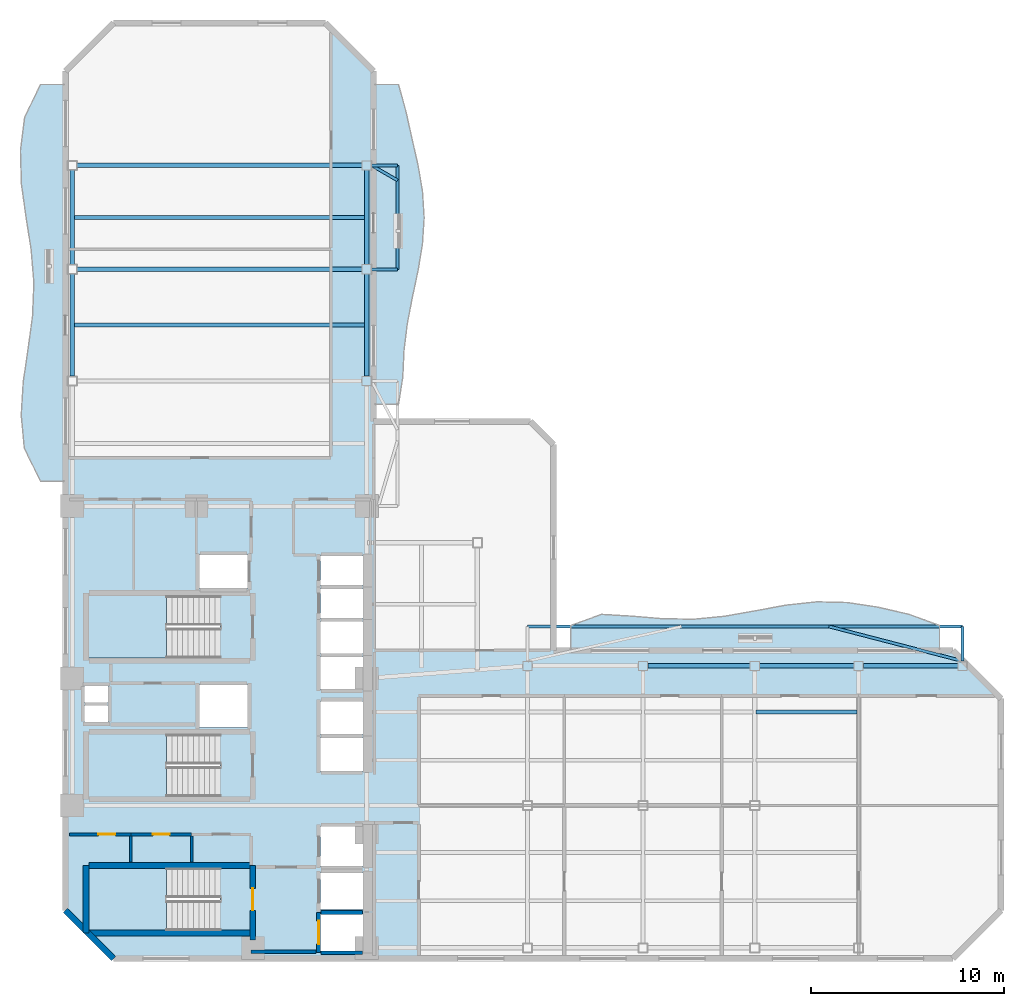
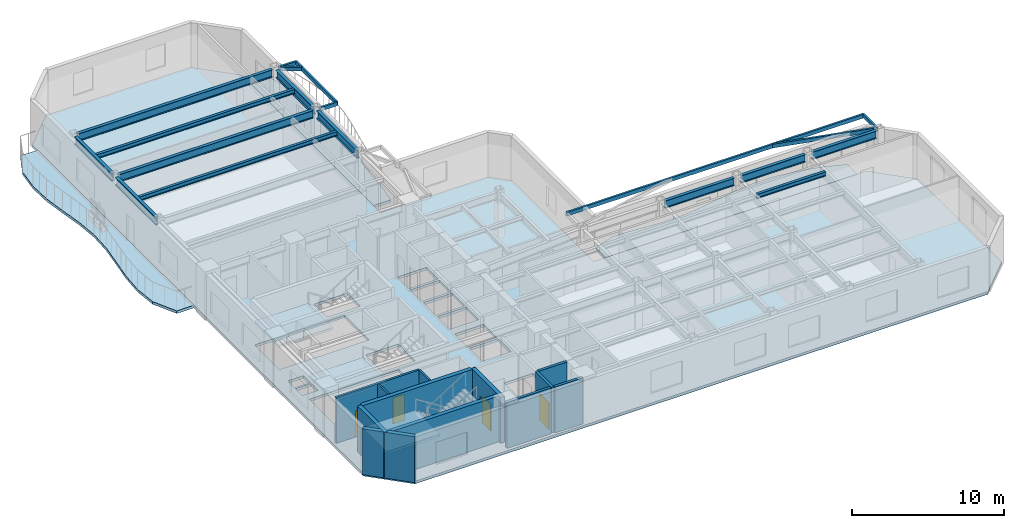
# One storey, part 2 of 9: 19 beams, 13 walls, 7 slabs, 4 doors, 4 openings, 3 elements without a shape of their own.
"""IFC4 building model written with IfcOpenShell, lengths in metres."""

from ifc_helpers import new_model, si_unit, direction, frame, frame_2d, origin, origin_2d, place, context, subcontext, project, spatial, polyline, rectangle, hollow_rectangle, i_section, outline, extrude, material, layer, layer_set, material_profile, profile_set, type_object, element, fill, aggregate, save


model = new_model("IFC4")

# Units and contexts
model_context = context("Model", 3, precision=1e-05, world=origin(), true_north=direction((0.0, 1.0)))
body_context = subcontext(model_context, "Body", "Model", "MODEL_VIEW")
ifc_project = project(units=[si_unit("LENGTHUNIT", "METRE"), si_unit("AREAUNIT", "SQUARE_METRE"), si_unit("VOLUMEUNIT", "CUBIC_METRE"), si_unit("PLANEANGLEUNIT", "RADIAN"), si_unit("MASSUNIT", "GRAM", prefix="KILO")], contexts=[model_context])

# Site, building, storey
site_placement = place(None, origin())
site = spatial("IfcSite", under=ifc_project, at=site_placement, CompositionType="ELEMENT")
building_placement = place(site_placement, origin())
building = spatial("IfcBuilding", under=site, at=building_placement, Name="Mawjaban Terraces University", CompositionType="ELEMENT")
storey_placement = place(building_placement, frame((0.0, 0.0, 130.699951171875)))
storey = spatial("IfcBuildingStorey", under=building, at=storey_placement, Name="L31", CompositionType="ELEMENT", Elevation=130.699951171875)

# Beams
ifc_material_1 = material(Name="Steel EN 10210-1 S355J2H", Category="steel")
ifc_material_profile_1 = material_profile(ifc_material_1, hollow_rectangle(XDim=0.14990234375, YDim=0.300048828125, WallThickness=0.012451171875, at=origin_2d()), Name="RHS300X150X12.5")
ifc_profile_set_1 = profile_set([ifc_material_profile_1], Name="Steel EN 10210-1 S355J2H")
beam_type_1 = type_object("IfcBeamType", Name="BalconyCantileverSpandrel_RHS", PredefinedType="SPANDREL", material=ifc_profile_set_1)
beam_1_placement = place(storey_placement, frame((68.60009765625, 15.449951171875, 3.5400390625), z_axis=(0.0, 1.0, 0.0), x_axis=(-1.0, 0.0, 0.0)))
element("IfcBeam", 1, at=beam_1_placement, inside=storey, type_object=beam_type_1, Name="L31 Exterior Outrigger BAL-L32-N.2", PredefinedType="SPANDREL", context=body_context, shape_type="SweptSolid", body=[
    extrude(hollow_rectangle(XDim=0.14990234375, YDim=0.300048828125, WallThickness=0.012451171875, at=origin_2d()), origin(), (0.0, 0.0, 1.0), 1.800048828125),
])
beam_2_placement = place(storey_placement, frame((46.0, 17.25, 3.5400390625), z_axis=(1.0, 0.0, 0.0), x_axis=(0.0, 1.0, 0.0)))
element("IfcBeam", 2, at=beam_2_placement, inside=storey, type_object=beam_type_1, Name="L31 Exterior Edge Spandrel BAL-L32-N", PredefinedType="SPANDREL", context=body_context, shape_type="SweptSolid", body=[
    extrude(hollow_rectangle(XDim=0.14990234375, YDim=0.300048828125, WallThickness=0.012451171875, at=origin_2d()), origin(), (0.0, 0.0, 1.0), 22.60009765625),
])
beam_3_placement = place(storey_placement, frame((68.60009765625, 15.449951171875, 3.5400390625), z_axis=(-0.968014653654, 0.250893663353, 0.0), x_axis=(-0.250893663353, -0.968014653654, 0.0)))
element("IfcBeam", 3, at=beam_3_placement, inside=storey, type_object=beam_type_1, Name="L31 Exterior Diagonal Strut BAL-L32-N.2", PredefinedType="SPANDREL", context=body_context, shape_type="SweptSolid", body=[
    extrude(hollow_rectangle(XDim=0.14990234375, YDim=0.300048828125, WallThickness=0.012451171875, at=origin_2d()), origin(), (0.0, 0.0, 1.0), 7.174560546875),
])
for number, where, z_axis, x_axis, name in (
    (4, (37.89990234375, 35.800048828125, 3.5400390625), (1.0, 0.0, 0.0), (0.0, 1.0, 0.0), "L31 Exterior Outrigger BAL-L32-E.1"),
    (5, (37.89990234375, 41.199951171875, 3.5400390625), (1.0, 0.0, 0.0), (0.0, 1.0, 0.0), "L31 Exterior Outrigger BAL-L32-E.2"),
):
    element("IfcBeam", number, at=place(storey_placement, frame(where, z_axis=z_axis, x_axis=x_axis)), inside=storey, type_object=beam_type_1, Name=name, PredefinedType="SPANDREL", context=body_context, shape_type="SweptSolid", body=[
        extrude(hollow_rectangle(XDim=0.14990234375, YDim=0.300048828125, WallThickness=0.012451171875, at=origin_2d()), origin(), (0.0, 0.0, 1.0), 1.35009765625),
    ])
beam_4_placement = place(storey_placement, frame((39.25, 35.800048828125, 3.5400390625), z_axis=(0.0, 1.0, 0.0), x_axis=(-1.0, 0.0, 0.0)))
element("IfcBeam", 6, at=beam_4_placement, inside=storey, type_object=beam_type_1, Name="L31 Exterior Edge Spandrel BAL-L32-E", PredefinedType="SPANDREL", context=body_context, shape_type="SweptSolid", body=[
    extrude(hollow_rectangle(XDim=0.14990234375, YDim=0.300048828125, WallThickness=0.012451171875, at=origin_2d()), origin(), (0.0, 0.0, 1.0), 5.39990234375),
])
beam_5_placement = place(storey_placement, frame((37.89990234375, 41.199951171875, 3.5400390625), z_axis=(0.865872609263, -0.500264554538, 0.0), x_axis=(0.500264554538, 0.865872609263, 0.0)))
element("IfcBeam", 7, at=beam_5_placement, inside=storey, type_object=beam_type_1, Name="L31 Exterior Diagonal Strut BAL-L32-E.2", PredefinedType="SPANDREL", context=body_context, shape_type="SweptSolid", body=[
    extrude(hollow_rectangle(XDim=0.14990234375, YDim=0.300048828125, WallThickness=0.012451171875, at=origin_2d()), origin(), (0.0, 0.0, 1.0), 1.559326171875),
])
ifc_material_2 = material(Name="Steel ASTM A572 Grade 50", Category="steel")
ifc_material_profile_2 = material_profile(ifc_material_2, i_section(OverallWidth=0.22998046875, OverallDepth=0.616943359375, WebThickness=0.01318359375, FlangeThickness=0.022216796875, at=origin_2d()), Name="W610X140")
ifc_profile_set_2 = profile_set([ifc_material_profile_2], Name="Steel ASTM A572 Grade 50")
beam_type_2 = type_object("IfcBeamType", Name="Beam_B_W610X140", PredefinedType="BEAM", material=ifc_profile_set_2)
beam_6_placement = place(storey_placement, frame((52.25, 15.199951171875, 3.381103515625), z_axis=(1.0, 0.0, 0.0), x_axis=(0.0, 1.0, 0.0)))
element("IfcBeam", 8, at=beam_6_placement, inside=storey, type_object=beam_type_2, Name="L31 Beam BM-L31-EW-09", PredefinedType="BEAM", context=body_context, shape_type="SweptSolid", body=[
    extrude(i_section(OverallWidth=0.22998046875, OverallDepth=0.616943359375, WebThickness=0.01318359375, FlangeThickness=0.022216796875, at=origin_2d()), origin(), (0.0, 0.0, 1.0), 5.300048828125),
])
beam_7_placement = place(storey_placement, frame((58.050048828125, 15.199951171875, 3.381103515625), z_axis=(1.0, 0.0, 0.0), x_axis=(0.0, 1.0, 0.0)))
element("IfcBeam", 9, at=beam_7_placement, inside=storey, type_object=beam_type_2, Name="L31 Beam BM-L31-EW-10", PredefinedType="BEAM", context=body_context, shape_type="SweptSolid", body=[
    extrude(i_section(OverallWidth=0.22998046875, OverallDepth=0.616943359375, WebThickness=0.01318359375, FlangeThickness=0.022216796875, at=origin_2d()), origin(), (0.0, 0.0, 1.0), 4.89990234375),
])
beam_8_placement = place(storey_placement, frame((63.449951171875, 15.199951171875, 3.381103515625), z_axis=(1.0, 0.0, 0.0), x_axis=(0.0, 1.0, 0.0)))
element("IfcBeam", 10, at=beam_8_placement, inside=storey, type_object=beam_type_2, Name="L31 Beam BM-L31-EW-11", PredefinedType="BEAM", context=body_context, shape_type="SweptSolid", body=[
    extrude(i_section(OverallWidth=0.22998046875, OverallDepth=0.616943359375, WebThickness=0.01318359375, FlangeThickness=0.022216796875, at=origin_2d()), origin(), (0.0, 0.0, 1.0), 4.900146484375),
])
for number, where, z_axis, x_axis, name in (
    (11, (22.60009765625, 35.800048828125, 3.381103515625), (1.0, 0.0, 0.0), (0.0, 1.0, 0.0), "L31 Beam BM-L31-EW-15"),
    (12, (22.60009765625, 41.199951171875, 3.381103515625), (1.0, 0.0, 0.0), (0.0, 1.0, 0.0), "L31 Beam BM-L31-EW-16"),
):
    element("IfcBeam", number, at=place(storey_placement, frame(where, z_axis=z_axis, x_axis=x_axis)), inside=storey, type_object=beam_type_2, Name=name, PredefinedType="BEAM", context=body_context, shape_type="SweptSolid", body=[
        extrude(i_section(OverallWidth=0.22998046875, OverallDepth=0.616943359375, WebThickness=0.01318359375, FlangeThickness=0.022216796875, at=origin_2d()), origin(), (0.0, 0.0, 1.0), 14.7998046875),
    ])
beam_9_placement = place(storey_placement, frame((22.35009765625, 30.25, 3.381103515625), z_axis=(0.0, 1.0, 0.0), x_axis=(-1.0, 0.0, 0.0)))
element("IfcBeam", 13, at=beam_9_placement, inside=storey, type_object=beam_type_2, Name="L31 Beam BM-L31-NS-04", PredefinedType="BEAM", context=body_context, shape_type="SweptSolid", body=[
    extrude(i_section(OverallWidth=0.22998046875, OverallDepth=0.616943359375, WebThickness=0.01318359375, FlangeThickness=0.022216796875, at=origin_2d()), origin(), (0.0, 0.0, 1.0), 5.300048828125),
])
beam_10_placement = place(storey_placement, frame((22.35009765625, 36.050048828125, 3.381103515625), z_axis=(0.0, 1.0, 0.0), x_axis=(-1.0, 0.0, 0.0)))
element("IfcBeam", 14, at=beam_10_placement, inside=storey, type_object=beam_type_2, Name="L31 Beam BM-L31-NS-05", PredefinedType="BEAM", context=body_context, shape_type="SweptSolid", body=[
    extrude(i_section(OverallWidth=0.22998046875, OverallDepth=0.616943359375, WebThickness=0.01318359375, FlangeThickness=0.022216796875, at=origin_2d()), origin(), (0.0, 0.0, 1.0), 4.89990234375),
])
beam_11_placement = place(storey_placement, frame((37.64990234375, 30.25, 3.381103515625), z_axis=(0.0, 1.0, 0.0), x_axis=(-1.0, 0.0, 0.0)))
element("IfcBeam", 15, at=beam_11_placement, inside=storey, type_object=beam_type_2, Name="L31 Beam BM-L31-NS-10", PredefinedType="BEAM", context=body_context, shape_type="SweptSolid", body=[
    extrude(i_section(OverallWidth=0.22998046875, OverallDepth=0.616943359375, WebThickness=0.01318359375, FlangeThickness=0.022216796875, at=origin_2d()), origin(), (0.0, 0.0, 1.0), 5.300048828125),
])
beam_12_placement = place(storey_placement, frame((37.64990234375, 36.050048828125, 3.381103515625), z_axis=(0.0, 1.0, 0.0), x_axis=(-1.0, 0.0, 0.0)))
element("IfcBeam", 16, at=beam_12_placement, inside=storey, type_object=beam_type_2, Name="L31 Beam BM-L31-NS-11", PredefinedType="BEAM", context=body_context, shape_type="SweptSolid", body=[
    extrude(i_section(OverallWidth=0.22998046875, OverallDepth=0.616943359375, WebThickness=0.01318359375, FlangeThickness=0.022216796875, at=origin_2d()), origin(), (0.0, 0.0, 1.0), 4.89990234375),
])
ifc_material_profile_3 = material_profile(ifc_material_2, i_section(OverallWidth=0.202880859375, OverallDepth=0.346923828125, WebThickness=0.0078125, FlangeThickness=0.013427734375, at=origin_2d()), Name="W360X64")
ifc_profile_set_3 = profile_set([ifc_material_profile_3], Name="Steel ASTM A572 Grade 50")
beam_type_3 = type_object("IfcBeamType", Name="Beam_J_W360X64", PredefinedType="JOIST", material=ifc_profile_set_3)
beam_13_placement = place(storey_placement, frame((57.8798828125, 12.800048828125, 3.51611328125), z_axis=(1.0, 0.0, 0.0), x_axis=(0.0, 1.0, 0.0)))
element("IfcBeam", 17, at=beam_13_placement, inside=storey, type_object=beam_type_3, Name="L31 Composite Joist JST-L31-16", PredefinedType="JOIST", context=body_context, shape_type="SweptSolid", body=[
    extrude(i_section(OverallWidth=0.202880859375, OverallDepth=0.346923828125, WebThickness=0.0078125, FlangeThickness=0.013427734375, at=origin_2d()), origin(), (0.0, 0.0, 1.0), 5.240234375),
])
for number, where, z_axis, x_axis, name in (
    (18, (22.429931640625, 32.89990234375, 3.51611328125), (1.0, 0.0, 0.0), (0.0, 1.0, 0.0), "L31 Composite Joist JST-L31-19"),
    (19, (22.429931640625, 38.5, 3.51611328125), (1.0, 0.0, 0.0), (0.0, 1.0, 0.0), "L31 Composite Joist JST-L31-20"),
):
    element("IfcBeam", number, at=place(storey_placement, frame(where, z_axis=z_axis, x_axis=x_axis)), inside=storey, type_object=beam_type_3, Name=name, PredefinedType="JOIST", context=body_context, shape_type="SweptSolid", body=[
        extrude(i_section(OverallWidth=0.202880859375, OverallDepth=0.346923828125, WebThickness=0.0078125, FlangeThickness=0.013427734375, at=origin_2d()), origin(), (0.0, 0.0, 1.0), 15.14013671875),
    ])

# Slabs
ifc_material_3 = material(Name="Concrete C40/50", Category="concrete")
ifc_layer_1 = layer(ifc_material_3, 0.2099609375)
ifc_layer_set_1 = layer_set([ifc_layer_1], Name="Concrete C40/50")
slab_type_1 = type_object("IfcSlabType", Name="BalconySlab_210_Ext", PredefinedType="FLOOR", material=ifc_layer_set_1)
slab_1_placement = place(storey_placement, frame((0.0, 0.0, -0.2099609375)))
element("IfcSlab", 20, at=slab_1_placement, inside=storey, type_object=slab_type_1, Name="L31 Planted Balcony Slab west", PredefinedType="FLOOR", context=body_context, shape_type="SweptSolid", body=[
    extrude(outline(polyline([(22.010009765625, 24.800048828125), (22.010009765625, 45.39990234375), (20.699951171875, 45.39990234375), (19.8779296875, 43.68310546875), (19.662109375, 41.967041015625), (19.7109375, 40.25), (19.947998046875, 38.532958984375), (20.218017578125, 36.81689453125), (20.35888671875, 35.10009765625), (20.291015625, 33.383056640625), (20.05810546875, 31.6669921875), (19.805908203125, 29.949951171875), (19.701904296875, 28.23291015625), (19.861083984375, 26.51708984375), (20.699951171875, 24.800048828125), (22.010009765625, 24.800048828125)])), origin(), (0.0, 0.0, 1.0), 0.2099609375),
])
slab_2_placement = place(storey_placement, frame((0.0, 0.0, -0.2099609375)))
element("IfcSlab", 21, at=slab_2_placement, inside=storey, type_object=slab_type_1, Name="L31 Planted Balcony Slab inner_north", PredefinedType="FLOOR", context=body_context, shape_type="SweptSolid", body=[
    extrude(outline(polyline([(48.2509765625, 15.989990234375), (67.39990234375, 15.989990234375), (67.39990234375, 17.300048828125), (65.803955078125, 17.881103515625), (64.208984375, 18.248046875), (62.613037109375, 18.490966796875), (61.01708984375, 18.528076171875), (59.4208984375, 18.35498046875), (57.825927734375, 18.06005859375), (56.22998046875, 17.777099609375), (54.634033203125, 17.6259765625), (53.0380859375, 17.64892578125), (51.44189453125, 17.782958984375), (49.846923828125, 17.8759765625), (48.2509765625, 17.300048828125), (48.2509765625, 15.989990234375)])), origin(), (0.0, 0.0, 1.0), 0.2099609375),
])
slab_3_placement = place(storey_placement, frame((0.0, 0.0, -0.2099609375)))
element("IfcSlab", 22, at=slab_3_placement, inside=storey, type_object=slab_type_1, Name="L31 Planted Balcony Slab inner_east", PredefinedType="FLOOR", context=body_context, shape_type="SweptSolid", body=[
    extrude(outline(polyline([(39.300048828125, 28.800048828125), (39.51904296875, 30.18310546875), (39.5830078125, 31.56689453125), (39.75, 32.949951171875), (40.014892578125, 34.3330078125), (40.31005859375, 35.717041015625), (40.541015625, 37.10009765625), (40.6298828125, 38.48291015625), (40.5419921875, 39.866943359375), (40.303955078125, 41.25), (39.988037109375, 42.633056640625), (39.680908203125, 44.01708984375), (39.300048828125, 45.39990234375), (37.989990234375, 45.39990234375), (37.989990234375, 28.800048828125), (39.300048828125, 28.800048828125)])), origin(), (0.0, 0.0, 1.0), 0.2099609375),
])
ifc_layer_2 = layer(ifc_material_3, 0.2099609375)
ifc_layer_set_2 = layer_set([ifc_layer_2], Name="Concrete C40/50")
slab_type_2 = type_object("IfcSlabType", Name="CompositeSlab_210", PredefinedType="FLOOR", material=ifc_layer_set_2)
slab_4_placement = place(storey_placement, frame((0.0, 0.0, -0.2099609375)))
element("IfcSlab", 23, at=slab_4_placement, inside=storey, type_object=slab_type_2, Name="L31 Primary Structural Slab", PredefinedType="FLOOR", context=body_context, shape_type="SweptSolid", body=[
    extrude(outline(polyline([(24.5, 0.0), (68.10009765625, 0.0), (70.60009765625, 2.5), (70.60009765625, 13.5), (68.10009765625, 16.0), (47.35107421875, 16.0), (47.35107421875, 26.699951171875), (46.15087890625, 27.89990234375), (38.0, 27.89990234375), (38.0, 46.10009765625), (35.5, 48.60009765625), (24.5, 48.60009765625), (22.0, 46.10009765625), (22.0, 2.5), (24.5, 0.0)]), holes=[polyline([(30.014892578125, 4.699951171875), (23.199951171875, 4.699951171875), (23.199951171875, 1.449951171875), (30.014892578125, 1.449951171875), (30.014892578125, 4.699951171875)]), polyline([(30.014892578125, 18.85009765625), (23.199951171875, 18.85009765625), (23.199951171875, 15.60009765625), (30.014892578125, 15.60009765625), (30.014892578125, 18.85009765625)]), polyline([(30.014892578125, 11.64990234375), (23.199951171875, 11.64990234375), (23.199951171875, 8.39990234375), (30.014892578125, 8.39990234375), (30.014892578125, 11.64990234375)]), polyline([(35.25, 0.39990234375), (37.449951171875, 0.39990234375), (37.449951171875, 2.300048828125), (35.25, 2.300048828125), (35.25, 0.39990234375)]), polyline([(35.25, 2.550048828125), (37.449951171875, 2.550048828125), (37.449951171875, 4.449951171875), (35.25, 4.449951171875), (35.25, 2.550048828125)]), polyline([(35.25, 4.800048828125), (37.449951171875, 4.800048828125), (37.449951171875, 6.85009765625), (35.25, 6.85009765625), (35.25, 4.800048828125)]), polyline([(35.25, 9.75), (37.449951171875, 9.75), (37.449951171875, 11.449951171875), (35.25, 11.449951171875), (35.25, 9.75)]), polyline([(35.25, 11.64990234375), (37.449951171875, 11.64990234375), (37.449951171875, 13.35009765625), (35.25, 13.35009765625), (35.25, 11.64990234375)]), polyline([(28.949951171875, 12.0), (31.449951171875, 12.0), (31.449951171875, 14.199951171875), (28.949951171875, 14.199951171875), (28.949951171875, 12.0)]), polyline([(35.25, 14.0), (37.449951171875, 14.0), (37.449951171875, 15.64990234375), (35.25, 15.64990234375), (35.25, 14.0)]), polyline([(35.25, 15.85009765625), (37.449951171875, 15.85009765625), (37.449951171875, 17.5), (35.25, 17.5), (35.25, 15.85009765625)]), polyline([(35.25, 17.699951171875), (37.449951171875, 17.699951171875), (37.449951171875, 19.199951171875), (35.25, 19.199951171875), (35.25, 17.699951171875)]), polyline([(35.25, 19.39990234375), (37.449951171875, 19.39990234375), (37.449951171875, 20.89990234375), (35.25, 20.89990234375), (35.25, 19.39990234375)]), polyline([(28.949951171875, 19.25), (31.449951171875, 19.25), (31.449951171875, 20.949951171875), (28.949951171875, 20.949951171875), (28.949951171875, 19.25)]), polyline([(23.0, 12.25), (24.199951171875, 12.25), (24.199951171875, 13.14990234375), (23.0, 13.14990234375), (23.0, 12.25)]), polyline([(23.0, 13.300048828125), (24.199951171875, 13.300048828125), (24.199951171875, 14.179931640625), (23.0, 14.179931640625), (23.0, 13.300048828125)])]), origin(), (0.0, 0.0, 1.0), 0.2099609375),
])

# Stair, slab
stair_type = type_object("IfcStairType", Name="Stair_Core1550_H39", PredefinedType="HALF_TURN_STAIR", material=ifc_material_3)
stair_1_placement = place(storey_placement, origin())
stair_1 = element("IfcStair", 24, at=stair_1_placement, inside=storey, type_object=stair_type, Name="L31 Core Exit Stair 1", PredefinedType="HALF_TURN_STAIR")
ifc_layer_3 = layer(ifc_material_3, 0.199951171875)
ifc_layer_set_3 = layer_set([ifc_layer_3], Name="Concrete C40/50")
slab_type_3 = type_object("IfcSlabType", Name="StairLandingSlab_200", PredefinedType="LANDING", material=ifc_layer_set_3)
slab_5_placement = place(storey_placement, frame((0.0, 0.0, 1.75)))
slab_5 = element("IfcSlab", 25, at=slab_5_placement, type_object=slab_type_3, Name="ST-1 landing 1", PredefinedType="LANDING", context=body_context, shape_type="SweptSolid", body=[
    extrude(outline(polyline([(27.25, 4.699951171875), (23.199951171875, 4.699951171875), (23.199951171875, 1.449951171875), (27.25, 1.449951171875), (27.25, 4.699951171875)])), origin(), (0.0, 0.0, 1.0), 0.199951171875),
])
aggregate(stair_1, [slab_5])

stair_2_placement = place(storey_placement, origin())
stair_2 = element("IfcStair", 26, at=stair_2_placement, inside=storey, type_object=stair_type, Name="L31 Core Exit Stair 2", PredefinedType="HALF_TURN_STAIR")
slab_6_placement = place(storey_placement, frame((0.0, 0.0, 1.75)))
slab_6 = element("IfcSlab", 27, at=slab_6_placement, type_object=slab_type_3, Name="ST-2 landing 1", PredefinedType="LANDING", context=body_context, shape_type="SweptSolid", body=[
    extrude(outline(polyline([(27.25, 18.85009765625), (23.199951171875, 18.85009765625), (23.199951171875, 15.60009765625), (27.25, 15.60009765625), (27.25, 18.85009765625)])), origin(), (0.0, 0.0, 1.0), 0.199951171875),
])
aggregate(stair_2, [slab_6])

stair_3_placement = place(storey_placement, origin())
stair_3 = element("IfcStair", 28, at=stair_3_placement, inside=storey, type_object=stair_type, Name="L31 Core Exit Stair 3", PredefinedType="HALF_TURN_STAIR")
slab_7_placement = place(storey_placement, frame((0.0, 0.0, 1.75)))
slab_7 = element("IfcSlab", 29, at=slab_7_placement, type_object=slab_type_3, Name="ST-3 landing 1", PredefinedType="LANDING", context=body_context, shape_type="SweptSolid", body=[
    extrude(outline(polyline([(27.25, 11.64990234375), (23.199951171875, 11.64990234375), (23.199951171875, 8.39990234375), (27.25, 8.39990234375), (27.25, 11.64990234375)])), origin(), (0.0, 0.0, 1.0), 0.199951171875),
])
aggregate(stair_3, [slab_7])

# Wall, opening, door
ifc_material_4 = material(Name="Fire-rated gypsum board on steel stud", Category="steel")
ifc_layer_4 = layer(ifc_material_4, 0.159912109375)
ifc_layer_set_4 = layer_set([ifc_layer_4], Name="Fire-rated gypsum board on steel stud")
wall_type_1 = type_object("IfcWallType", Name="CorridorPartition_160", PredefinedType="PARTITIONING", material=ifc_layer_set_4)
wall_1_placement = place(storey_placement, frame((22.199951171875, 6.449951171875, 0.0), z_axis=(0.0, 0.0, 1.0), x_axis=(1.0, 0.0, 0.0)))
wall_1 = element("IfcWall", 30, at=wall_1_placement, inside=storey, type_object=wall_type_1, Name="L31 Core Washroom Lobby Partition 1", PredefinedType="PARTITIONING", context=body_context, shape_type="SweptSolid", body=[
    extrude(rectangle(XDim=3.199951171875, YDim=0.159912109375, at=frame_2d((1.60009765625, 0.0))), origin(), (0.0, 0.0, 1.0), 3.68994140625),
])
opening_1_placement = place(wall_1_placement, frame((1.510009765625, 0.0, 0.0)))
opening_1 = element("IfcOpeningElement", 31, at=opening_1_placement, cuts=wall_1, Name="Opening ID-088", PredefinedType="OPENING", context=body_context, shape_type="SweptSolid", body=[
    extrude(rectangle(XDim=0.8798828125, YDim=2.10009765625, at=frame_2d((0.43994140625, 1.050048828125))), frame((0.0, 0.08984375, 0.0), z_axis=(0.0, -1.0, 0.0), x_axis=(1.0, 0.0, 0.0)), (0.0, 0.0, 1.0), 0.179931640625),
])
ifc_material_5 = material(Name="Powder-coated steel frame and solid acoustic timber leaf", Category="steel")
door_type_1 = type_object("IfcDoorType", Name="ToiletDoor_880x2100", OperationType="NOTDEFINED", PredefinedType="DOOR", material=ifc_material_5)
door_1_placement = place(opening_1_placement, origin())
door_1 = element("IfcDoor", 32, at=door_1_placement, inside=storey, type_object=door_type_1, Name="L31 Male Toilet Door", OperationType="SINGLE_SWING_LEFT", OverallHeight=2.10009765625, OverallWidth=0.8798828125, PredefinedType="DOOR", context=body_context, shape_type="SweptSolid", body=[
    extrude(rectangle(XDim=0.8798828125, YDim=2.10009765625, at=frame_2d((0.43994140625, 1.050048828125))), frame((0.0, 0.02490234375, 0.0), z_axis=(0.0, -1.0, 0.0), x_axis=(1.0, 0.0, 0.0)), (0.0, 0.0, 1.0), 0.050048828125),
])
fill(opening_1, door_1)

wall_2_placement = place(storey_placement, frame((25.39990234375, 6.449951171875, 0.0), z_axis=(0.0, 0.0, 1.0), x_axis=(1.0, 0.0, 0.0)))
wall_2 = element("IfcWall", 33, at=wall_2_placement, inside=storey, type_object=wall_type_1, Name="L31 Core Washroom Lobby Partition 4", PredefinedType="PARTITIONING", context=body_context, shape_type="SweptSolid", body=[
    extrude(rectangle(XDim=3.150146484375, YDim=0.159912109375, at=frame_2d((1.5751953125, 0.0))), origin(), (0.0, 0.0, 1.0), 3.68994140625),
])
opening_2_placement = place(wall_2_placement, frame((1.135009765625, 0.0, 0.0)))
opening_2 = element("IfcOpeningElement", 34, at=opening_2_placement, cuts=wall_2, Name="Opening ID-088", PredefinedType="OPENING", context=body_context, shape_type="SweptSolid", body=[
    extrude(rectangle(XDim=0.8798828125, YDim=2.10009765625, at=frame_2d((0.43994140625, 1.050048828125))), frame((0.0, 0.08984375, 0.0), z_axis=(0.0, -1.0, 0.0), x_axis=(1.0, 0.0, 0.0)), (0.0, 0.0, 1.0), 0.179931640625),
])
door_2_placement = place(opening_2_placement, origin())
door_2 = element("IfcDoor", 35, at=door_2_placement, inside=storey, type_object=door_type_1, Name="L31 Female Toilet Door", OperationType="SINGLE_SWING_RIGHT", OverallHeight=2.10009765625, OverallWidth=0.8798828125, PredefinedType="DOOR", context=body_context, shape_type="SweptSolid", body=[
    extrude(rectangle(XDim=0.8798828125, YDim=2.10009765625, at=frame_2d((0.43994140625, 1.050048828125))), frame((0.0, 0.02490234375, 0.0), z_axis=(0.0, -1.0, 0.0), x_axis=(1.0, 0.0, 0.0)), (0.0, 0.0, 1.0), 0.050048828125),
])
fill(opening_2, door_2)

# Wall
ifc_material_6 = material(Name="Insulated terracotta rainscreen on concrete backup C40/50", Category="masonry")
ifc_layer_5 = layer(ifc_material_6, 0.300048828125)
ifc_layer_set_5 = layer_set([ifc_layer_5], Name="Insulated terracotta rainscreen on concrete backup C40/50")
wall_type_2 = type_object("IfcWallType", Name="ExtTerracottaWall_300", PredefinedType="SOLIDWALL", material=ifc_layer_set_5)
wall_3_placement = place(storey_placement, frame((22.0, 2.5, 0.0), z_axis=(0.0, 0.0, 1.0), x_axis=(0.707106781187, -0.707106781187, 0.0)))
element("IfcWall", 36, at=wall_3_placement, inside=storey, type_object=wall_type_2, Name="L31 Exterior Terracotta Wall 14", PredefinedType="SOLIDWALL", context=body_context, shape_type="SweptSolid", body=[
    extrude(rectangle(XDim=3.53564453125, YDim=0.300048828125, at=frame_2d((1.767822265625, 0.0))), origin(), (0.0, 0.0, 1.0), 3.68994140625),
])

# Wall, opening, door
ifc_layer_6 = layer(ifc_material_3, 0.199951171875)
ifc_layer_set_6 = layer_set([ifc_layer_6], Name="Concrete C40/50")
wall_type_3 = type_object("IfcWallType", Name="FireLobbyWall_200", PredefinedType="SOLIDWALL", material=ifc_layer_set_6)
wall_4_placement = place(storey_placement, frame((35.14990234375, 2.39990234375, 0.0), z_axis=(0.0, 0.0, 1.0), x_axis=(0.0, -1.0, 0.0)))
wall_4 = element("IfcWall", 37, at=wall_4_placement, inside=storey, type_object=wall_type_3, Name="L31 Lift FL-1 Hoistway Wall West", PredefinedType="SOLIDWALL", context=body_context, shape_type="SweptSolid", body=[
    extrude(rectangle(XDim=2.099853515625, YDim=0.199951171875, at=frame_2d((1.0498046875, 0.0))), origin(), (0.0, 0.0, 1.0), 3.68994140625),
])
opening_3_placement = place(wall_4_placement, frame((0.449951171875, 0.0, 0.0)))
opening_3 = element("IfcOpeningElement", 38, at=opening_3_placement, cuts=wall_4, Name="Opening LD-FL-1", PredefinedType="OPENING", context=body_context, shape_type="SweptSolid", body=[
    extrude(rectangle(XDim=1.199951171875, YDim=2.14990234375, at=frame_2d((0.60009765625, 1.074951171875))), frame((0.0, 0.10986328125, 0.0), z_axis=(0.0, -1.0, 0.0), x_axis=(1.0, 0.0, 0.0)), (0.0, 0.0, 1.0), 0.219970703125),
])
ifc_material_7 = material(Name="Powder-coated steel frame and fire-rated steel-faced leaf", Category="steel")
door_type_2 = type_object("IfcDoorType", Name="LiftLandingFSAE_1200x2150", OperationType="NOTDEFINED", PredefinedType="DOOR", material=ifc_material_7)
door_3_placement = place(opening_3_placement, origin())
door_3 = element("IfcDoor", 39, at=door_3_placement, inside=storey, type_object=door_type_2, Name="L31 Lift FL-1 Sliding Landing Door", OperationType="DOUBLE_DOOR_SLIDING", OverallHeight=2.14990234375, OverallWidth=1.199951171875, PredefinedType="DOOR", context=body_context, shape_type="SweptSolid", body=[
    extrude(rectangle(XDim=1.199951171875, YDim=2.14990234375, at=frame_2d((0.60009765625, 1.074951171875))), frame((0.0, 0.02490234375, 0.0), z_axis=(0.0, -1.0, 0.0), x_axis=(1.0, 0.0, 0.0)), (0.0, 0.0, 1.0), 0.050048828125),
])
fill(opening_3, door_3)

# Walls
for number, where, z_axis, x_axis, name in (
    (40, (35.280029296875, 0.300048828125, 0.0), (0.0, 0.0, 1.0), (1.0, 0.0, 0.0), "L31 Lift FL-1 Hoistway Wall South"),
    (41, (37.419921875, 2.39990234375, 0.0), (0.0, 0.0, 1.0), (-1.0, 0.0, 0.0), "L31 Lift FL-1 Hoistway Wall North"),
):
    element("IfcWall", number, at=place(storey_placement, frame(where, z_axis=z_axis, x_axis=x_axis)), inside=storey, type_object=wall_type_3, Name=name, PredefinedType="SOLIDWALL", context=body_context, shape_type="SweptSolid", body=[
        extrude(rectangle(XDim=2.139892578125, YDim=0.199951171875, at=frame_2d((1.06982421875, 0.0))), origin(), (0.0, 0.0, 1.0), 3.68994140625),
    ])
wall_5_placement = place(storey_placement, frame((31.64990234375, 0.35009765625, 0.0), z_axis=(0.0, 0.0, 1.0), x_axis=(1.0, 0.0, 0.0)))
element("IfcWall", 42, at=wall_5_placement, inside=storey, type_object=wall_type_3, Name="L31 Firefighting Lift Lobby Partition 8", PredefinedType="SOLIDWALL", context=body_context, shape_type="SweptSolid", body=[
    extrude(rectangle(XDim=3.3701171875, YDim=0.199951171875, at=frame_2d((1.68505859375, 0.0))), origin(), (0.0, 0.0, 1.0), 3.68994140625),
])
ifc_material_8 = material(Name="Concrete C60/75", Category="concrete")
ifc_layer_7 = layer(ifc_material_8, 0.300048828125)
ifc_layer_set_7 = layer_set([ifc_layer_7], Name="Concrete C60/75")
wall_type_4 = type_object("IfcWallType", Name="StairShaftWall_300", PredefinedType="SHEAR", material=ifc_layer_set_7)
wall_6_placement = place(storey_placement, frame((31.580078125, 4.830078125, 0.0), z_axis=(0.0, 0.0, 1.0), x_axis=(-1.0, 0.0, 0.0)))
element("IfcWall", 43, at=wall_6_placement, inside=storey, type_object=wall_type_4, Name="L31 ST-1 Stair Shaft Wall 1", PredefinedType="SHEAR", context=body_context, shape_type="SweptSolid", body=[
    extrude(rectangle(XDim=8.360107421875, YDim=0.300048828125, at=frame_2d((4.18017578125, 0.0))), origin(), (0.0, 0.0, 1.0), 3.68994140625),
])
wall_7_placement = place(storey_placement, frame((23.070068359375, 4.830078125, 0.0), z_axis=(0.0, 0.0, 1.0), x_axis=(0.0, -1.0, 0.0)))
element("IfcWall", 44, at=wall_7_placement, inside=storey, type_object=wall_type_4, Name="L31 ST-1 Stair Shaft Wall 2", PredefinedType="SHEAR", context=body_context, shape_type="SweptSolid", body=[
    extrude(rectangle(XDim=3.510009765625, YDim=0.300048828125, at=frame_2d((1.7548828125, 0.0))), origin(), (0.0, 0.0, 1.0), 3.68994140625),
])
wall_8_placement = place(storey_placement, frame((23.219970703125, 1.320068359375, 0.0), z_axis=(0.0, 0.0, 1.0), x_axis=(1.0, 0.0, 0.0)))
element("IfcWall", 45, at=wall_8_placement, inside=storey, type_object=wall_type_4, Name="L31 ST-1 Stair Shaft Wall 3", PredefinedType="SHEAR", context=body_context, shape_type="SweptSolid", body=[
    extrude(rectangle(XDim=8.360107421875, YDim=0.300048828125, at=frame_2d((4.18017578125, 0.0))), origin(), (0.0, 0.0, 1.0), 3.68994140625),
])

# Wall, opening, door
wall_9_placement = place(storey_placement, frame((31.72998046875, 0.9599609375, 0.0), z_axis=(0.0, 0.0, 1.0), x_axis=(0.0, 1.0, 0.0)))
wall_9 = element("IfcWall", 46, at=wall_9_placement, inside=storey, type_object=wall_type_4, Name="L31 ST-1 Stair Shaft Wall 4", PredefinedType="SHEAR", context=body_context, shape_type="SweptSolid", body=[
    extrude(rectangle(XDim=3.8701171875, YDim=0.300048828125, at=frame_2d((1.93505859375, 0.0))), origin(), (0.0, 0.0, 1.0), 3.68994140625),
])
opening_4_placement = place(wall_9_placement, frame((1.5400390625, 0.0, 0.0)))
opening_4 = element("IfcOpeningElement", 47, at=opening_4_placement, cuts=wall_9, Name="Opening FD-115", PredefinedType="OPENING", context=body_context, shape_type="SweptSolid", body=[
    extrude(rectangle(XDim=1.14990234375, YDim=2.14990234375, at=frame_2d((0.574951171875, 1.074951171875))), frame((0.0, 0.159912109375, 0.0), z_axis=(0.0, -1.0, 0.0), x_axis=(1.0, 0.0, 0.0)), (0.0, 0.0, 1.0), 0.320068359375),
])
door_type_3 = type_object("IfcDoorType", Name="FireStairDoor_1150x2150", OperationType="NOTDEFINED", PredefinedType="DOOR", material=ifc_material_7)
door_4_placement = place(opening_4_placement, origin())
door_4 = element("IfcDoor", 48, at=door_4_placement, inside=storey, type_object=door_type_3, Name="L31 ST-1 Pressurised Stair Fire Door", OperationType="SINGLE_SWING_LEFT", OverallHeight=2.14990234375, OverallWidth=1.14990234375, PredefinedType="DOOR", context=body_context, shape_type="SweptSolid", body=[
    extrude(rectangle(XDim=1.14990234375, YDim=2.14990234375, at=frame_2d((0.574951171875, 1.074951171875))), frame((0.0, 0.02490234375, 0.0), z_axis=(0.0, -1.0, 0.0), x_axis=(1.0, 0.0, 0.0)), (0.0, 0.0, 1.0), 0.050048828125),
])
fill(opening_4, door_4)

# Walls
ifc_material_9 = material(Name="Cement-board wet-room partition", Category="masonry")
ifc_layer_8 = layer(ifc_material_9, 0.135009765625)
ifc_layer_set_8 = layer_set([ifc_layer_8], Name="Cement-board wet-room partition")
wall_type_5 = type_object("IfcWallType", Name="WetRoomPartition_135", PredefinedType="PARTITIONING", material=ifc_layer_set_8)
for number, where, z_axis, x_axis, name in (
    (49, (25.39990234375, 5.010009765625, 0.0), (0.0, 0.0, 1.0), (0.0, 1.0, 0.0), "L31 Male Toilet Partition 27"),
    (50, (28.550048828125, 5.010009765625, 0.0), (0.0, 0.0, 1.0), (0.0, 1.0, 0.0), "L31 Female Toilet Partition 29"),
):
    element("IfcWall", number, at=place(storey_placement, frame(where, z_axis=z_axis, x_axis=x_axis)), inside=storey, type_object=wall_type_5, Name=name, PredefinedType="PARTITIONING", context=body_context, shape_type="SweptSolid", body=[
        extrude(rectangle(XDim=1.364990234375, YDim=0.135009765625, at=frame_2d((0.6826171875, 0.0))), origin(), (0.0, 0.0, 1.0), 3.68994140625),
    ])

save(model, "model.ifc")
